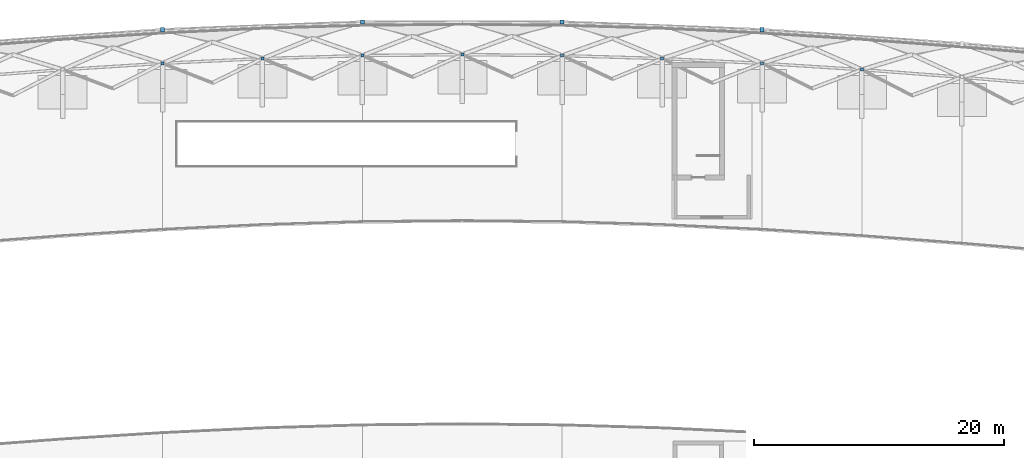
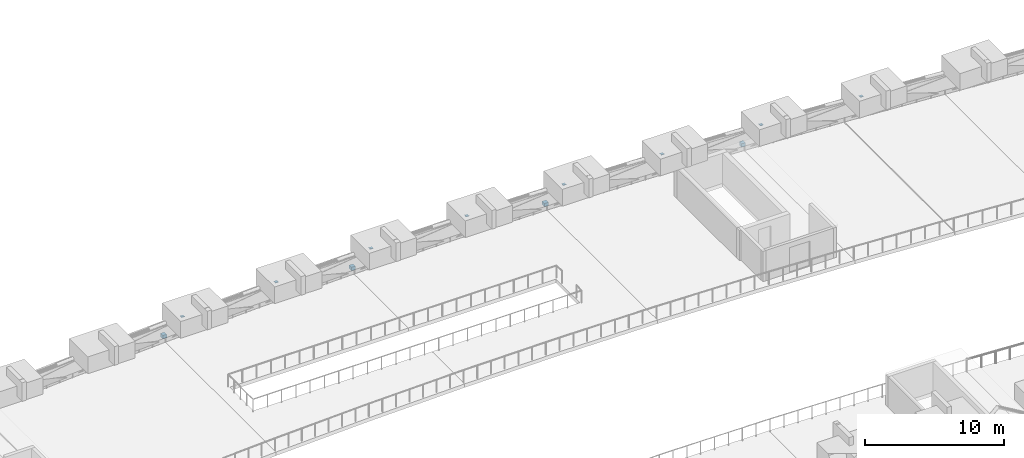
# One storey, part 57 of 67: 12 discrete accessories.
"""IFC4 building model written with IfcOpenShell, lengths in metres."""

from ifc_helpers import new_model, si_unit, direction, frame, origin, origin_2d, place, context, subcontext, project, spatial, rectangle, extrude, material, type_object, element, save


model = new_model("IFC4")

# Units and contexts
model_context = context("Model", 3, precision=1e-05, world=origin(), true_north=direction((0.0, 1.0)))
body_context = subcontext(model_context, "Body", "Model", "MODEL_VIEW")
ifc_project = project(units=[si_unit("LENGTHUNIT", "METRE"), si_unit("AREAUNIT", "SQUARE_METRE"), si_unit("VOLUMEUNIT", "CUBIC_METRE"), si_unit("PLANEANGLEUNIT", "RADIAN"), si_unit("MASSUNIT", "GRAM", prefix="KILO")], contexts=[model_context])

# Site, building, storey
site_placement = place(None, origin())
site = spatial("IfcSite", under=ifc_project, at=site_placement, CompositionType="ELEMENT")
building_placement = place(site_placement, origin())
building = spatial("IfcBuilding", under=site, at=building_placement, Name="Kenh Van Central Station", CompositionType="ELEMENT")
storey_placement = place(building_placement, frame((0.0, 0.0, 10.800048828125)))
storey = spatial("IfcBuildingStorey", under=building, at=storey_placement, Name="L02", CompositionType="ELEMENT", Elevation=10.800048828125)

# Discrete accessories
ifc_material = material(Name="White fluoropolymer structural steel S355", Category="steel")
discrete_accessory_type_1 = type_object("IfcDiscreteAccessoryType", Name="ACC-BRKT-STL", PredefinedType="BRACKET", material=ifc_material)
for number, where, z_axis, x_axis, name in (
    (1, (64.0, 114.6318359375, 0.2900390625), (0.0, 0.0, 1.0), (1.0, 0.0, 0.0), "Barrel curb bracket 04-2"),
    (2, (80.0, 115.249755859375, 0.2900390625), (0.0, 0.0, 1.0), (1.0, 0.0, 0.0), "Barrel curb bracket 05-2"),
    (3, (96.0, 115.249755859375, 0.2900390625), (0.0, 0.0, 1.0), (1.0, 0.0, 0.0), "Barrel curb bracket 06-2"),
    (4, (112.0, 114.6318359375, 0.2900390625), (0.0, 0.0, 1.0), (1.0, 0.0, 0.0), "Barrel curb bracket 08-2"),
):
    element("IfcDiscreteAccessory", number, at=place(storey_placement, frame(where, z_axis=z_axis, x_axis=x_axis)), inside=storey, type_object=discrete_accessory_type_1, Name=name, PredefinedType="BRACKET", context=body_context, shape_type="SweptSolid", body=[
        extrude(rectangle(XDim=0.320068359375, YDim=0.340087890625, at=origin_2d()), origin(), (0.0, 0.0, 1.0), 0.300048828125),
    ])
discrete_accessory_type_2 = type_object("IfcDiscreteAccessoryType", Name="ACC-END-NODE-VLT", PredefinedType="BRACKET", material=ifc_material)
for number, where, z_axis, x_axis, name in (
    (5, (64.0, 111.949462890625, 3.74951171875), (0.0, 0.0, 1.0), (1.0, 0.0, 0.0), "L02 brace end connection node plate 0103"),
    (6, (72.0, 112.330810546875, 3.74951171875), (0.0, 0.0, 1.0), (1.0, 0.0, 0.0), "L02 brace end connection node plate 0124"),
    (7, (80.0, 112.5673828125, 3.74951171875), (0.0, 0.0, 1.0), (1.0, 0.0, 0.0), "L02 brace end connection node plate 0145"),
    (8, (88.0, 112.647705078125, 3.74951171875), (0.0, 0.0, 1.0), (1.0, 0.0, 0.0), "L02 brace end connection node plate 0166"),
    (9, (96.0, 112.5673828125, 3.74951171875), (0.0, 0.0, 1.0), (1.0, 0.0, 0.0), "L02 brace end connection node plate 0187"),
    (10, (104.0, 112.330810546875, 3.74951171875), (0.0, 0.0, 1.0), (1.0, 0.0, 0.0), "L02 brace end connection node plate 0208"),
    (11, (112.0, 111.949462890625, 3.74951171875), (0.0, 0.0, 1.0), (1.0, 0.0, 0.0), "L02 brace end connection node plate 0229"),
    (12, (120.0, 111.44287109375, 3.74951171875), (0.0, 0.0, 1.0), (1.0, 0.0, 0.0), "L02 brace end connection node plate 0250"),
):
    element("IfcDiscreteAccessory", number, at=place(storey_placement, frame(where, z_axis=z_axis, x_axis=x_axis)), inside=storey, type_object=discrete_accessory_type_2, Name=name, PredefinedType="BRACKET", context=body_context, shape_type="SweptSolid", body=[
        extrude(rectangle(XDim=0.239990234375, YDim=0.239990234375, at=origin_2d()), origin(), (0.0, 0.0, 1.0), 0.02490234375),
    ])

save(model, "model.ifc")
